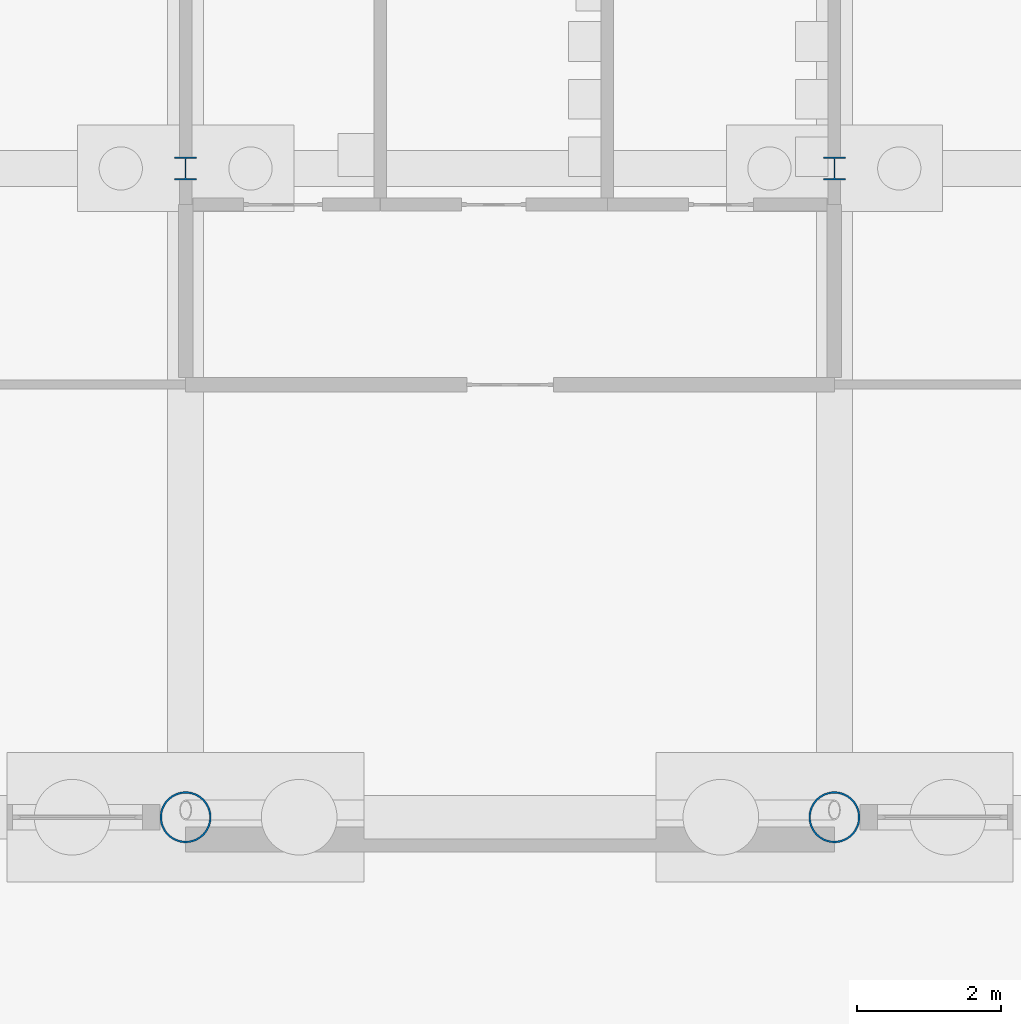
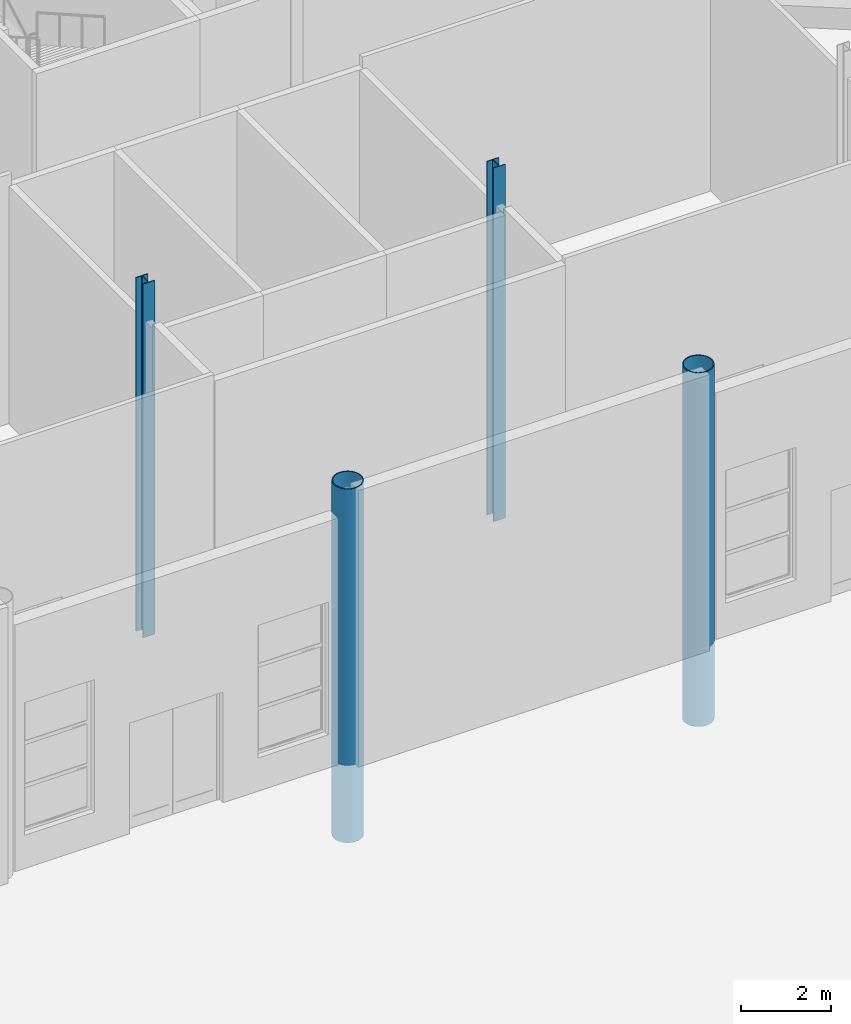
# One storey, part 17 of 250: 4 columns.
"""IFC4 building model written with IfcOpenShell, lengths in metres."""

from ifc_helpers import new_model, si_unit, direction, frame, origin, origin_2d, place, context, subcontext, project, spatial, hollow_circle, i_section, extrude, material, material_profile, profile_set, type_object, element, save


model = new_model("IFC4")

# Units and contexts
model_context = context("Model", 3, precision=1e-05, world=origin(), true_north=direction((0.0, 1.0)))
body_context = subcontext(model_context, "Body", "Model", "MODEL_VIEW")
ifc_project = project(units=[si_unit("LENGTHUNIT", "METRE"), si_unit("AREAUNIT", "SQUARE_METRE"), si_unit("VOLUMEUNIT", "CUBIC_METRE"), si_unit("PLANEANGLEUNIT", "RADIAN"), si_unit("MASSUNIT", "GRAM", prefix="KILO")], contexts=[model_context])

# Site, building, storey
site_placement = place(None, origin())
site = spatial("IfcSite", under=ifc_project, at=site_placement, CompositionType="ELEMENT")
building_placement = place(site_placement, origin())
building = spatial("IfcBuilding", under=site, at=building_placement, Name="Baradari Gate Terminus", CompositionType="ELEMENT")
storey_placement = place(building_placement, origin())
storey = spatial("IfcBuildingStorey", under=building, at=storey_placement, Name="L00", CompositionType="ELEMENT", Elevation=0.0)

# Columns
ifc_material_1 = material(Name="Steel S355", Category="steel")
ifc_material_profile_1 = material_profile(ifc_material_1, hollow_circle(Radius=0.35546875, WallThickness=0.02490234375, at=origin_2d()), Name="CHS 711x25")
ifc_profile_set_1 = profile_set([ifc_material_profile_1], Name="Steel S355")
column_type_1 = type_object("IfcColumnType", Name="Braced north shed column C10 CHS 711x25", PredefinedType="COLUMN", material=ifc_profile_set_1)
for number, where, z_axis, x_axis, name in (
    (1, (117.0, 81.0, -2.10009765625), (0.0, 0.0, 1.0), (1.0, 0.0, 0.0), "C10 column 14-K L00"),
    (2, (126.0, 81.0, -2.10009765625), (0.0, 0.0, 1.0), (1.0, 0.0, 0.0), "C10 column 15-K L00"),
):
    element("IfcColumn", number, at=place(storey_placement, frame(where, z_axis=z_axis, x_axis=x_axis)), inside=storey, type_object=column_type_1, Name=name, PredefinedType="COLUMN", context=body_context, shape_type="SweptSolid", body=[
        extrude(hollow_circle(Radius=0.35546875, WallThickness=0.02490234375, at=origin_2d()), origin(), (0.0, 0.0, 1.0), 9.60009765625),
    ])
ifc_material_2 = material(Name="Steel S355", Category="steel")
ifc_material_profile_2 = material_profile(ifc_material_2, i_section(OverallWidth=0.307373046875, OverallDepth=0.314453125, WebThickness=0.011962890625, FlangeThickness=0.018798828125, FilletRadius=0.01513671875, at=origin_2d()), Name="UC 305x305x118")
ifc_profile_set_2 = profile_set([ifc_material_profile_2], Name="Steel S355")
column_type_2 = type_object("IfcColumnType", Name="Head-house column C07 UC 305x305x118", PredefinedType="COLUMN", material=ifc_profile_set_2)
for number, where, z_axis, x_axis, name in (
    (3, (117.0, 90.0, -2.10009765625), (0.0, 0.0, 1.0), (1.0, 0.0, 0.0), "C07 column 14-L L00"),
    (4, (126.0, 90.0, -2.10009765625), (0.0, 0.0, 1.0), (1.0, 0.0, 0.0), "C07 column 15-L L00"),
):
    element("IfcColumn", number, at=place(storey_placement, frame(where, z_axis=z_axis, x_axis=x_axis)), inside=storey, type_object=column_type_2, Name=name, PredefinedType="COLUMN", context=body_context, shape_type="SweptSolid", body=[
        extrude(i_section(OverallWidth=0.307373046875, OverallDepth=0.314453125, WebThickness=0.011962890625, FlangeThickness=0.018798828125, FilletRadius=0.01513671875, at=origin_2d()), origin(), (0.0, 0.0, 1.0), 9.60009765625),
    ])

save(model, "model.ifc")
